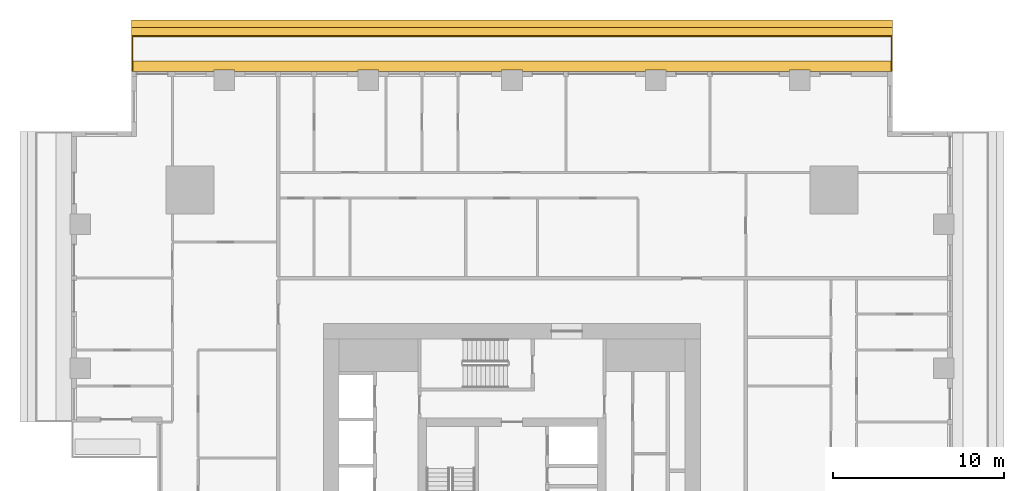
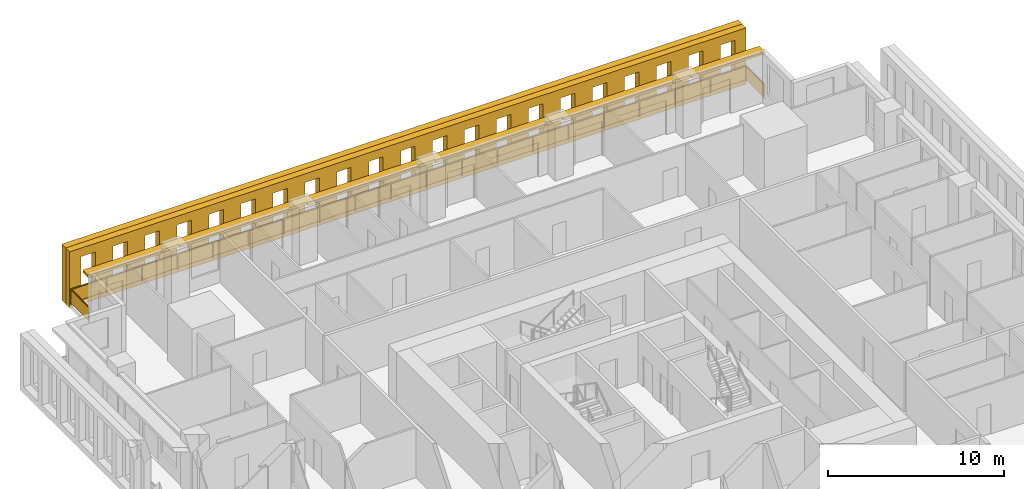
# One storey, part 14 of 14: 3 shading devices, 1 railing.
"""IFC4 building model written with IfcOpenShell, lengths in metres."""

from ifc_helpers import new_model, si_unit, direction, frame, origin, origin_2d, place, context, subcontext, project, spatial, polyline, rectangle, outline, extrude, material, layer, layer_set, type_object, element, save


model = new_model("IFC4")

# Units and contexts
model_context = context("Model", 3, precision=1e-05, world=origin(), true_north=direction((0.0, 1.0)))
body_context = subcontext(model_context, "Body", "Model", "MODEL_VIEW")
ifc_project = project(units=[si_unit("LENGTHUNIT", "METRE"), si_unit("AREAUNIT", "SQUARE_METRE"), si_unit("VOLUMEUNIT", "CUBIC_METRE"), si_unit("PLANEANGLEUNIT", "RADIAN"), si_unit("MASSUNIT", "GRAM", prefix="KILO")], contexts=[model_context])

# Site, building, storey
site_placement = place(None, origin())
site = spatial("IfcSite", under=ifc_project, at=site_placement, CompositionType="ELEMENT")
building_placement = place(site_placement, origin())
building = spatial("IfcBuilding", under=site, at=building_placement, Name="Khepri Terraces", CompositionType="ELEMENT")
storey_placement = place(building_placement, frame((0.0, 0.0, 87.0)))
storey = spatial("IfcBuildingStorey", under=building, at=storey_placement, Name="L20", CompositionType="ELEMENT", Elevation=87.0)

# Railing
ifc_material_1 = material(Name="Stainless steel grade 316", Category="steel")
railing_type = type_object("IfcRailingType", Name="GRD-BAL-1100", PredefinedType="GUARDRAIL", material=ifc_material_1)
railing_placement = place(storey_placement, frame((22.169921875, 25.719970703125, 0.0)))
element("IfcRailing", 1, at=railing_placement, inside=storey, type_object=railing_type, Name="Balcony guard L20 N", PredefinedType="GUARDRAIL", context=body_context, shape_type="SweptSolid", body=[
    extrude(rectangle(XDim=0.050048828125, YDim=0.06005859375, at=origin_2d()), frame((0.0, 0.0, 1.070068359375), z_axis=(0.0, 1.0, 0.0), x_axis=(-1.0, 0.0, 0.0)), (0.0, 0.0, 1.0), 2.050048828125),
    extrude(rectangle(XDim=2.0, YDim=0.011962890625, at=origin_2d()), frame((0.0, 1.02490234375, 0.10009765625), z_axis=(0.0, 0.0, 1.0), x_axis=(0.0, 1.0, 0.0)), (0.0, 0.0, 1.0), 0.93994140625),
    extrude(rectangle(XDim=0.050048828125, YDim=0.06005859375, at=origin_2d()), frame((0.0, 2.050048828125, 1.070068359375), z_axis=(-1.0, 0.0, 0.0), x_axis=(0.0, -1.0, 0.0)), (0.0, 0.0, 1.0), 44.33984375),
    extrude(rectangle(XDim=2.28369140625, YDim=0.011962890625, at=origin_2d()), frame((-1.166748046875, 2.050048828125, 0.10009765625), z_axis=(0.0, 0.0, 1.0), x_axis=(-1.0, 0.0, 0.0)), (0.0, 0.0, 1.0), 0.93994140625),
    extrude(rectangle(XDim=2.28369140625, YDim=0.011962890625, at=origin_2d()), frame((-3.50048828125, 2.050048828125, 0.10009765625), z_axis=(0.0, 0.0, 1.0), x_axis=(-1.0, 0.0, 0.0)), (0.0, 0.0, 1.0), 0.93994140625),
    extrude(rectangle(XDim=2.28369140625, YDim=0.011962890625, at=origin_2d()), frame((-5.834228515625, 2.050048828125, 0.10009765625), z_axis=(0.0, 0.0, 1.0), x_axis=(-1.0, 0.0, 0.0)), (0.0, 0.0, 1.0), 0.93994140625),
    extrude(rectangle(XDim=2.28369140625, YDim=0.011962890625, at=origin_2d()), frame((-8.16796875, 2.050048828125, 0.10009765625), z_axis=(0.0, 0.0, 1.0), x_axis=(-1.0, 0.0, 0.0)), (0.0, 0.0, 1.0), 0.93994140625),
    extrude(rectangle(XDim=2.28369140625, YDim=0.011962890625, at=origin_2d()), frame((-10.50146484375, 2.050048828125, 0.10009765625), z_axis=(0.0, 0.0, 1.0), x_axis=(-1.0, 0.0, 0.0)), (0.0, 0.0, 1.0), 0.93994140625),
    extrude(rectangle(XDim=2.28369140625, YDim=0.011962890625, at=origin_2d()), frame((-12.835205078125, 2.050048828125, 0.10009765625), z_axis=(0.0, 0.0, 1.0), x_axis=(-1.0, 0.0, 0.0)), (0.0, 0.0, 1.0), 0.93994140625),
    extrude(rectangle(XDim=2.28369140625, YDim=0.011962890625, at=origin_2d()), frame((-15.1689453125, 2.050048828125, 0.10009765625), z_axis=(0.0, 0.0, 1.0), x_axis=(-1.0, 0.0, 0.0)), (0.0, 0.0, 1.0), 0.93994140625),
    extrude(rectangle(XDim=2.28369140625, YDim=0.011962890625, at=origin_2d()), frame((-17.502685546875, 2.050048828125, 0.10009765625), z_axis=(0.0, 0.0, 1.0), x_axis=(-1.0, 0.0, 0.0)), (0.0, 0.0, 1.0), 0.93994140625),
    extrude(rectangle(XDim=2.28369140625, YDim=0.011962890625, at=origin_2d()), frame((-19.836181640625, 2.050048828125, 0.10009765625), z_axis=(0.0, 0.0, 1.0), x_axis=(-1.0, 0.0, 0.0)), (0.0, 0.0, 1.0), 0.93994140625),
    extrude(rectangle(XDim=2.28369140625, YDim=0.011962890625, at=origin_2d()), frame((-22.169921875, 2.050048828125, 0.10009765625), z_axis=(0.0, 0.0, 1.0), x_axis=(-1.0, 0.0, 0.0)), (0.0, 0.0, 1.0), 0.93994140625),
    extrude(rectangle(XDim=2.28369140625, YDim=0.011962890625, at=origin_2d()), frame((-24.503662109375, 2.050048828125, 0.10009765625), z_axis=(0.0, 0.0, 1.0), x_axis=(-1.0, 0.0, 0.0)), (0.0, 0.0, 1.0), 0.93994140625),
    extrude(rectangle(XDim=2.28369140625, YDim=0.011962890625, at=origin_2d()), frame((-26.837158203125, 2.050048828125, 0.10009765625), z_axis=(0.0, 0.0, 1.0), x_axis=(-1.0, 0.0, 0.0)), (0.0, 0.0, 1.0), 0.93994140625),
    extrude(rectangle(XDim=2.28369140625, YDim=0.011962890625, at=origin_2d()), frame((-29.1708984375, 2.050048828125, 0.10009765625), z_axis=(0.0, 0.0, 1.0), x_axis=(-1.0, 0.0, 0.0)), (0.0, 0.0, 1.0), 0.93994140625),
    extrude(rectangle(XDim=2.28369140625, YDim=0.011962890625, at=origin_2d()), frame((-31.504638671875, 2.050048828125, 0.10009765625), z_axis=(0.0, 0.0, 1.0), x_axis=(-1.0, 0.0, 0.0)), (0.0, 0.0, 1.0), 0.93994140625),
    extrude(rectangle(XDim=2.28369140625, YDim=0.011962890625, at=origin_2d()), frame((-33.83837890625, 2.050048828125, 0.10009765625), z_axis=(0.0, 0.0, 1.0), x_axis=(-1.0, 0.0, 0.0)), (0.0, 0.0, 1.0), 0.93994140625),
    extrude(rectangle(XDim=2.28369140625, YDim=0.011962890625, at=origin_2d()), frame((-36.171875, 2.050048828125, 0.10009765625), z_axis=(0.0, 0.0, 1.0), x_axis=(-1.0, 0.0, 0.0)), (0.0, 0.0, 1.0), 0.93994140625),
    extrude(rectangle(XDim=2.28369140625, YDim=0.011962890625, at=origin_2d()), frame((-38.505615234375, 2.050048828125, 0.10009765625), z_axis=(0.0, 0.0, 1.0), x_axis=(-1.0, 0.0, 0.0)), (0.0, 0.0, 1.0), 0.93994140625),
    extrude(rectangle(XDim=2.28369140625, YDim=0.011962890625, at=origin_2d()), frame((-40.83935546875, 2.050048828125, 0.10009765625), z_axis=(0.0, 0.0, 1.0), x_axis=(-1.0, 0.0, 0.0)), (0.0, 0.0, 1.0), 0.93994140625),
    extrude(rectangle(XDim=2.28369140625, YDim=0.011962890625, at=origin_2d()), frame((-43.173095703125, 2.050048828125, 0.10009765625), z_axis=(0.0, 0.0, 1.0), x_axis=(-1.0, 0.0, 0.0)), (0.0, 0.0, 1.0), 0.93994140625),
    extrude(rectangle(XDim=0.050048828125, YDim=0.06005859375, at=origin_2d()), frame((-44.33984375, 2.050048828125, 1.070068359375), z_axis=(0.0, -1.0, 0.0), x_axis=(1.0, 0.0, 0.0)), (0.0, 0.0, 1.0), 2.050048828125),
    extrude(rectangle(XDim=2.0, YDim=0.011962890625, at=origin_2d()), frame((-44.33984375, 1.02490234375, 0.10009765625), z_axis=(0.0, 0.0, 1.0), x_axis=(0.0, -1.0, 0.0)), (0.0, 0.0, 1.0), 0.93994140625),
    extrude(rectangle(XDim=0.050048828125, YDim=0.050048828125, at=origin_2d()), origin(), (0.0, 0.0, 1.0), 1.0400390625),
    extrude(rectangle(XDim=0.050048828125, YDim=0.050048828125, at=origin_2d()), frame((0.0, 2.050048828125, 0.0)), (0.0, 0.0, 1.0), 1.0400390625),
    extrude(rectangle(XDim=0.050048828125, YDim=0.050048828125, at=origin_2d()), frame((-2.333740234375, 2.050048828125, 0.0)), (0.0, 0.0, 1.0), 1.0400390625),
    extrude(rectangle(XDim=0.050048828125, YDim=0.050048828125, at=origin_2d()), frame((-4.667236328125, 2.050048828125, 0.0)), (0.0, 0.0, 1.0), 1.0400390625),
    extrude(rectangle(XDim=0.050048828125, YDim=0.050048828125, at=origin_2d()), frame((-7.0009765625, 2.050048828125, 0.0)), (0.0, 0.0, 1.0), 1.0400390625),
    extrude(rectangle(XDim=0.050048828125, YDim=0.050048828125, at=origin_2d()), frame((-9.334716796875, 2.050048828125, 0.0)), (0.0, 0.0, 1.0), 1.0400390625),
    extrude(rectangle(XDim=0.050048828125, YDim=0.050048828125, at=origin_2d()), frame((-11.66845703125, 2.050048828125, 0.0)), (0.0, 0.0, 1.0), 1.0400390625),
    extrude(rectangle(XDim=0.050048828125, YDim=0.050048828125, at=origin_2d()), frame((-14.001953125, 2.050048828125, 0.0)), (0.0, 0.0, 1.0), 1.0400390625),
    extrude(rectangle(XDim=0.050048828125, YDim=0.050048828125, at=origin_2d()), frame((-16.335693359375, 2.050048828125, 0.0)), (0.0, 0.0, 1.0), 1.0400390625),
    extrude(rectangle(XDim=0.050048828125, YDim=0.050048828125, at=origin_2d()), frame((-18.66943359375, 2.050048828125, 0.0)), (0.0, 0.0, 1.0), 1.0400390625),
    extrude(rectangle(XDim=0.050048828125, YDim=0.050048828125, at=origin_2d()), frame((-21.003173828125, 2.050048828125, 0.0)), (0.0, 0.0, 1.0), 1.0400390625),
    extrude(rectangle(XDim=0.050048828125, YDim=0.050048828125, at=origin_2d()), frame((-23.336669921875, 2.050048828125, 0.0)), (0.0, 0.0, 1.0), 1.0400390625),
    extrude(rectangle(XDim=0.050048828125, YDim=0.050048828125, at=origin_2d()), frame((-25.67041015625, 2.050048828125, 0.0)), (0.0, 0.0, 1.0), 1.0400390625),
    extrude(rectangle(XDim=0.050048828125, YDim=0.050048828125, at=origin_2d()), frame((-28.004150390625, 2.050048828125, 0.0)), (0.0, 0.0, 1.0), 1.0400390625),
    extrude(rectangle(XDim=0.050048828125, YDim=0.050048828125, at=origin_2d()), frame((-30.337890625, 2.050048828125, 0.0)), (0.0, 0.0, 1.0), 1.0400390625),
    extrude(rectangle(XDim=0.050048828125, YDim=0.050048828125, at=origin_2d()), frame((-32.67138671875, 2.050048828125, 0.0)), (0.0, 0.0, 1.0), 1.0400390625),
    extrude(rectangle(XDim=0.050048828125, YDim=0.050048828125, at=origin_2d()), frame((-35.005126953125, 2.050048828125, 0.0)), (0.0, 0.0, 1.0), 1.0400390625),
    extrude(rectangle(XDim=0.050048828125, YDim=0.050048828125, at=origin_2d()), frame((-37.3388671875, 2.050048828125, 0.0)), (0.0, 0.0, 1.0), 1.0400390625),
    extrude(rectangle(XDim=0.050048828125, YDim=0.050048828125, at=origin_2d()), frame((-39.672607421875, 2.050048828125, 0.0)), (0.0, 0.0, 1.0), 1.0400390625),
    extrude(rectangle(XDim=0.050048828125, YDim=0.050048828125, at=origin_2d()), frame((-42.006103515625, 2.050048828125, 0.0)), (0.0, 0.0, 1.0), 1.0400390625),
    extrude(rectangle(XDim=0.050048828125, YDim=0.050048828125, at=origin_2d()), frame((-44.33984375, 2.050048828125, 0.0)), (0.0, 0.0, 1.0), 1.0400390625),
    extrude(rectangle(XDim=0.050048828125, YDim=0.050048828125, at=origin_2d()), frame((-44.33984375, 0.0, 0.0)), (0.0, 0.0, 1.0), 1.0400390625),
])

# Shading devices
ifc_material_2 = material(Name="Precast concrete C50/60 warm stone", Category="masonry")
shading_device_type_1 = type_object("IfcShadingDeviceType", Name="SCR-CELL-INNER-450", PredefinedType="USERDEFINED", material=ifc_material_2)
shading_device_1_placement = place(storey_placement, frame((22.219970703125, 27.820068359375, -0.25), z_axis=(0.0, 1.0, 0.0), x_axis=(-1.0, 0.0, 0.0)))
element("IfcShadingDevice", 2, at=shading_device_1_placement, inside=storey, type_object=shading_device_type_1, Name="Cell screen L20 N in", ObjectType="SCREEN", PredefinedType="USERDEFINED", context=body_context, shape_type="SweptSolid", body=[
    extrude(outline(polyline([(0.0, 0.0), (44.43994140625, 0.0), (44.43994140625, 3.89990234375), (0.0, 3.89990234375), (0.0, 0.0)]), holes=[polyline([(0.74755859375, 0.699951171875), (1.6923828125, 0.699951171875), (1.6923828125, 3.300048828125), (0.74755859375, 3.300048828125), (0.74755859375, 0.699951171875)]), polyline([(2.847412109375, 0.699951171875), (3.79248046875, 0.699951171875), (3.79248046875, 3.300048828125), (2.847412109375, 3.300048828125), (2.847412109375, 0.699951171875)]), polyline([(4.947509765625, 0.699951171875), (5.892578125, 0.699951171875), (5.892578125, 3.300048828125), (4.947509765625, 3.300048828125), (4.947509765625, 0.699951171875)]), polyline([(7.047607421875, 0.699951171875), (7.992431640625, 0.699951171875), (7.992431640625, 3.300048828125), (7.047607421875, 3.300048828125), (7.047607421875, 0.699951171875)]), polyline([(9.1474609375, 0.699951171875), (10.092529296875, 0.699951171875), (10.092529296875, 3.300048828125), (9.1474609375, 3.300048828125), (9.1474609375, 0.699951171875)]), polyline([(11.24755859375, 0.699951171875), (12.1923828125, 0.699951171875), (12.1923828125, 3.300048828125), (11.24755859375, 3.300048828125), (11.24755859375, 0.699951171875)]), polyline([(13.347412109375, 0.699951171875), (14.29248046875, 0.699951171875), (14.29248046875, 3.300048828125), (13.347412109375, 3.300048828125), (13.347412109375, 0.699951171875)]), polyline([(15.447509765625, 0.699951171875), (16.392578125, 0.699951171875), (16.392578125, 3.300048828125), (15.447509765625, 3.300048828125), (15.447509765625, 0.699951171875)]), polyline([(17.547607421875, 0.699951171875), (18.492431640625, 0.699951171875), (18.492431640625, 3.300048828125), (17.547607421875, 3.300048828125), (17.547607421875, 0.699951171875)]), polyline([(19.6474609375, 0.699951171875), (20.592529296875, 0.699951171875), (20.592529296875, 3.300048828125), (19.6474609375, 3.300048828125), (19.6474609375, 0.699951171875)]), polyline([(21.74755859375, 0.699951171875), (22.6923828125, 0.699951171875), (22.6923828125, 3.300048828125), (21.74755859375, 3.300048828125), (21.74755859375, 0.699951171875)]), polyline([(23.847412109375, 0.699951171875), (24.79248046875, 0.699951171875), (24.79248046875, 3.300048828125), (23.847412109375, 3.300048828125), (23.847412109375, 0.699951171875)]), polyline([(25.947509765625, 0.699951171875), (26.892578125, 0.699951171875), (26.892578125, 3.300048828125), (25.947509765625, 3.300048828125), (25.947509765625, 0.699951171875)]), polyline([(28.047607421875, 0.699951171875), (28.992431640625, 0.699951171875), (28.992431640625, 3.300048828125), (28.047607421875, 3.300048828125), (28.047607421875, 0.699951171875)]), polyline([(30.1474609375, 0.699951171875), (31.092529296875, 0.699951171875), (31.092529296875, 3.300048828125), (30.1474609375, 3.300048828125), (30.1474609375, 0.699951171875)]), polyline([(32.24755859375, 0.699951171875), (33.1923828125, 0.699951171875), (33.1923828125, 3.300048828125), (32.24755859375, 3.300048828125), (32.24755859375, 0.699951171875)]), polyline([(34.347412109375, 0.699951171875), (35.29248046875, 0.699951171875), (35.29248046875, 3.300048828125), (34.347412109375, 3.300048828125), (34.347412109375, 0.699951171875)]), polyline([(36.447509765625, 0.699951171875), (37.392578125, 0.699951171875), (37.392578125, 3.300048828125), (36.447509765625, 3.300048828125), (36.447509765625, 0.699951171875)]), polyline([(38.547607421875, 0.699951171875), (39.492431640625, 0.699951171875), (39.492431640625, 3.300048828125), (38.547607421875, 3.300048828125), (38.547607421875, 0.699951171875)]), polyline([(40.6474609375, 0.699951171875), (41.592529296875, 0.699951171875), (41.592529296875, 3.300048828125), (40.6474609375, 3.300048828125), (40.6474609375, 0.699951171875)]), polyline([(42.74755859375, 0.699951171875), (43.6923828125, 0.699951171875), (43.6923828125, 3.300048828125), (42.74755859375, 3.300048828125), (42.74755859375, 0.699951171875)])]), origin(), (0.0, 0.0, 1.0), 0.449951171875),
])
shading_device_type_2 = type_object("IfcShadingDeviceType", Name="SCR-CELL-OUTER-450", PredefinedType="USERDEFINED", material=ifc_material_2)
shading_device_2_placement = place(storey_placement, frame((22.219970703125, 28.27001953125, -0.25), z_axis=(0.0, 1.0, 0.0), x_axis=(-1.0, 0.0, 0.0)))
element("IfcShadingDevice", 3, at=shading_device_2_placement, inside=storey, type_object=shading_device_type_2, Name="Cell screen L20 N out", ObjectType="SCREEN", PredefinedType="USERDEFINED", context=body_context, shape_type="SweptSolid", body=[
    extrude(outline(polyline([(0.0, 0.0), (44.43994140625, 0.0), (44.43994140625, 3.89990234375), (0.0, 3.89990234375), (0.0, 0.0)]), holes=[polyline([(0.3974609375, 0.449951171875), (2.04248046875, 0.449951171875), (2.04248046875, 3.550048828125), (0.3974609375, 3.550048828125), (0.3974609375, 0.449951171875)]), polyline([(2.49755859375, 0.449951171875), (4.142578125, 0.449951171875), (4.142578125, 3.550048828125), (2.49755859375, 3.550048828125), (2.49755859375, 0.449951171875)]), polyline([(4.597412109375, 0.449951171875), (6.242431640625, 0.449951171875), (6.242431640625, 3.550048828125), (4.597412109375, 3.550048828125), (4.597412109375, 0.449951171875)]), polyline([(6.697509765625, 0.449951171875), (8.342529296875, 0.449951171875), (8.342529296875, 3.550048828125), (6.697509765625, 3.550048828125), (6.697509765625, 0.449951171875)]), polyline([(8.797607421875, 0.449951171875), (10.4423828125, 0.449951171875), (10.4423828125, 3.550048828125), (8.797607421875, 3.550048828125), (8.797607421875, 0.449951171875)]), polyline([(10.8974609375, 0.449951171875), (12.54248046875, 0.449951171875), (12.54248046875, 3.550048828125), (10.8974609375, 3.550048828125), (10.8974609375, 0.449951171875)]), polyline([(12.99755859375, 0.449951171875), (14.642578125, 0.449951171875), (14.642578125, 3.550048828125), (12.99755859375, 3.550048828125), (12.99755859375, 0.449951171875)]), polyline([(15.097412109375, 0.449951171875), (16.742431640625, 0.449951171875), (16.742431640625, 3.550048828125), (15.097412109375, 3.550048828125), (15.097412109375, 0.449951171875)]), polyline([(17.197509765625, 0.449951171875), (18.842529296875, 0.449951171875), (18.842529296875, 3.550048828125), (17.197509765625, 3.550048828125), (17.197509765625, 0.449951171875)]), polyline([(19.297607421875, 0.449951171875), (20.9423828125, 0.449951171875), (20.9423828125, 3.550048828125), (19.297607421875, 3.550048828125), (19.297607421875, 0.449951171875)]), polyline([(21.3974609375, 0.449951171875), (23.04248046875, 0.449951171875), (23.04248046875, 3.550048828125), (21.3974609375, 3.550048828125), (21.3974609375, 0.449951171875)]), polyline([(23.49755859375, 0.449951171875), (25.142578125, 0.449951171875), (25.142578125, 3.550048828125), (23.49755859375, 3.550048828125), (23.49755859375, 0.449951171875)]), polyline([(25.597412109375, 0.449951171875), (27.242431640625, 0.449951171875), (27.242431640625, 3.550048828125), (25.597412109375, 3.550048828125), (25.597412109375, 0.449951171875)]), polyline([(27.697509765625, 0.449951171875), (29.342529296875, 0.449951171875), (29.342529296875, 3.550048828125), (27.697509765625, 3.550048828125), (27.697509765625, 0.449951171875)]), polyline([(29.797607421875, 0.449951171875), (31.4423828125, 0.449951171875), (31.4423828125, 3.550048828125), (29.797607421875, 3.550048828125), (29.797607421875, 0.449951171875)]), polyline([(31.8974609375, 0.449951171875), (33.54248046875, 0.449951171875), (33.54248046875, 3.550048828125), (31.8974609375, 3.550048828125), (31.8974609375, 0.449951171875)]), polyline([(33.99755859375, 0.449951171875), (35.642578125, 0.449951171875), (35.642578125, 3.550048828125), (33.99755859375, 3.550048828125), (33.99755859375, 0.449951171875)]), polyline([(36.097412109375, 0.449951171875), (37.742431640625, 0.449951171875), (37.742431640625, 3.550048828125), (36.097412109375, 3.550048828125), (36.097412109375, 0.449951171875)]), polyline([(38.197509765625, 0.449951171875), (39.842529296875, 0.449951171875), (39.842529296875, 3.550048828125), (38.197509765625, 3.550048828125), (38.197509765625, 0.449951171875)]), polyline([(40.297607421875, 0.449951171875), (41.9423828125, 0.449951171875), (41.9423828125, 3.550048828125), (40.297607421875, 3.550048828125), (40.297607421875, 0.449951171875)]), polyline([(42.3974609375, 0.449951171875), (44.04248046875, 0.449951171875), (44.04248046875, 3.550048828125), (42.3974609375, 3.550048828125), (42.3974609375, 0.449951171875)])]), origin(), (0.0, 0.0, 1.0), 0.449951171875),
])
ifc_layer = layer(ifc_material_2, 0.199951171875, Name="Precast concrete C50/60 warm stone", Category="masonry")
ifc_layer_set = layer_set([ifc_layer], Name="Precast concrete C50/60 warm stone")
shading_device_type_3 = type_object("IfcShadingDeviceType", Name="SSH-BAND-STONE-200-N", PredefinedType="USERDEFINED", material=ifc_layer_set)
shading_device_3_placement = place(storey_placement, frame((0.0, 0.0, 3.10009765625)))
element("IfcShadingDevice", 4, at=shading_device_3_placement, inside=storey, type_object=shading_device_type_3, Name="Sunshade band L20 N", ObjectType="SUNSHADE", PredefinedType="USERDEFINED", context=body_context, shape_type="SweptSolid", body=[
    extrude(outline(polyline([(17.39990234375, 25.719970703125), (22.219970703125, 25.719970703125), (22.219970703125, 26.320068359375), (-22.219970703125, 26.320068359375), (-22.219970703125, 25.719970703125), (-17.39990234375, 25.719970703125), (-17.39990234375, 25.800048828125), (-16.199951171875, 25.800048828125), (-16.199951171875, 25.719970703125), (-9.0, 25.719970703125), (-9.0, 25.800048828125), (-7.800048828125, 25.800048828125), (-7.800048828125, 25.719970703125), (-0.60009765625, 25.719970703125), (-0.60009765625, 25.800048828125), (0.60009765625, 25.800048828125), (0.60009765625, 25.719970703125), (7.800048828125, 25.719970703125), (7.800048828125, 25.800048828125), (9.0, 25.800048828125), (9.0, 25.719970703125), (16.199951171875, 25.719970703125), (16.199951171875, 25.800048828125), (17.39990234375, 25.800048828125), (17.39990234375, 25.719970703125)])), origin(), (0.0, 0.0, 1.0), 0.199951171875),
])

save(model, "model.ifc")
